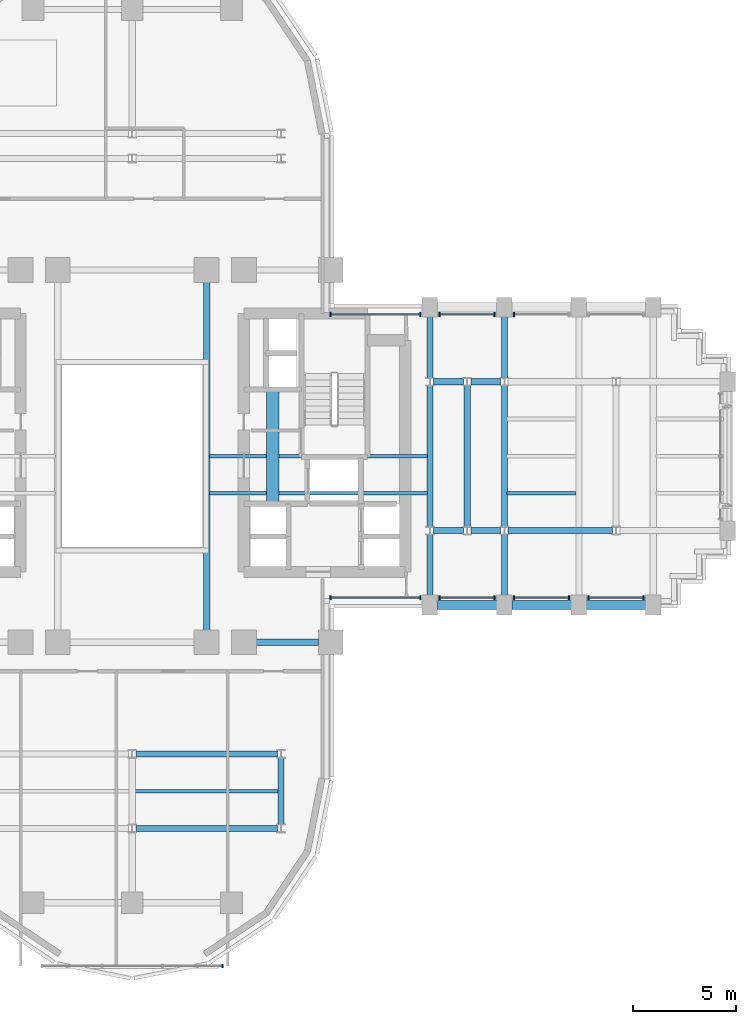
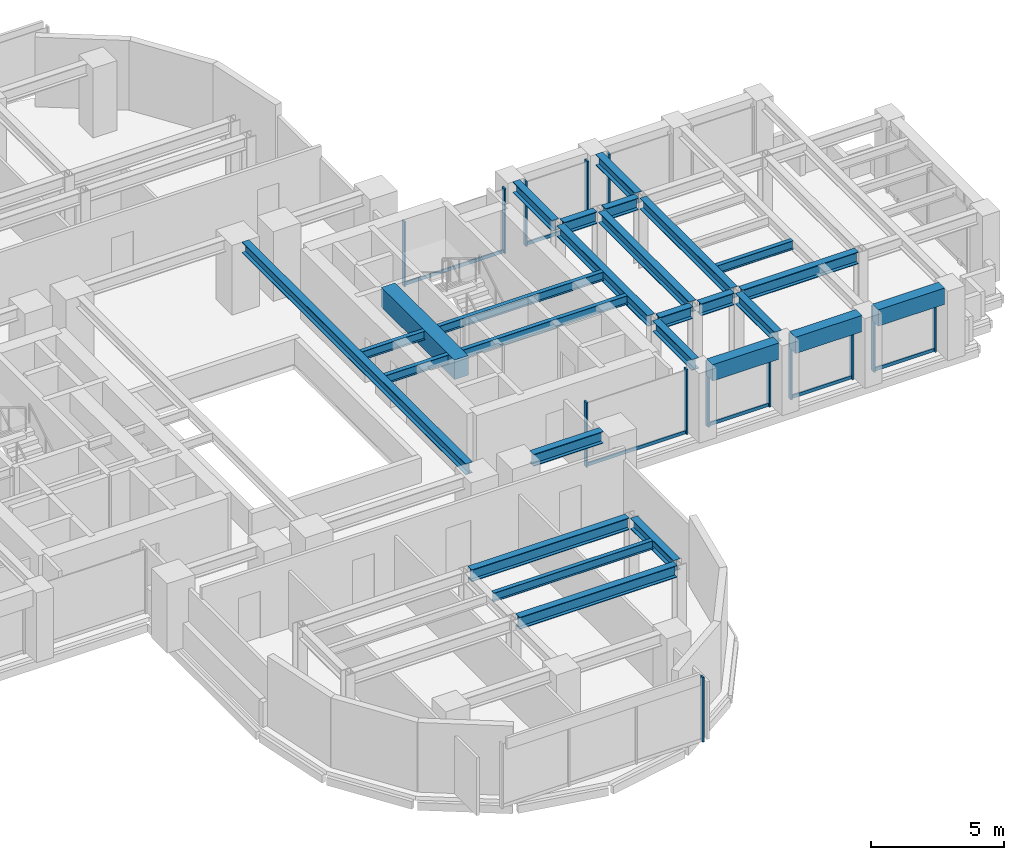
# One storey, part 5 of 16: 25 beams, 20 members, 8 elements without a shape of their own.
"""IFC4 building model written with IfcOpenShell, lengths in metres."""

from ifc_helpers import new_model, si_unit, direction, frame, origin, origin_2d, place, context, subcontext, project, spatial, rectangle, i_section, extrude, source, transform, mapped, material, material_profile, profile_set, type_object, element, aggregate, save


model = new_model("IFC4")

# Units and contexts
model_context = context("Model", 3, precision=1e-05, world=origin(), true_north=direction((0.0, 1.0)))
body_context = subcontext(model_context, "Body", "Model", "MODEL_VIEW")
ifc_project = project(units=[si_unit("LENGTHUNIT", "METRE"), si_unit("AREAUNIT", "SQUARE_METRE"), si_unit("VOLUMEUNIT", "CUBIC_METRE"), si_unit("PLANEANGLEUNIT", "RADIAN"), si_unit("MASSUNIT", "GRAM", prefix="KILO")], contexts=[model_context])

# Site, building, storey
site_placement = place(None, origin())
site = spatial("IfcSite", under=ifc_project, at=site_placement, CompositionType="ELEMENT")
building_placement = place(site_placement, origin())
building = spatial("IfcBuilding", under=site, at=building_placement, Name="Keilestroom Media Tower", CompositionType="ELEMENT")
storey_placement = place(building_placement, frame((0.0, 0.0, 71.39990234375)))
storey = spatial("IfcBuildingStorey", under=building, at=storey_placement, Name="L18", CompositionType="ELEMENT", Elevation=71.39990234375)

# Beams
ifc_material_1 = material(Name="Concrete C70/85", Category="concrete")
ifc_material_profile_1 = material_profile(ifc_material_1, rectangle(XDim=0.60009765625, YDim=0.89990234375, at=origin_2d()), Name="RC 600x900")
ifc_profile_set_1 = profile_set([ifc_material_profile_1], Name="Concrete C70/85")
beam_type_1 = type_object("IfcBeamType", Name="Core-Coupling-Lintel-Beam-RC-600x900", PredefinedType="LINTEL", material=ifc_profile_set_1)
shared_shape_1 = source(origin(), body_context, "Body", "SweptSolid", [
    extrude(rectangle(XDim=0.60009765625, YDim=0.89990234375, at=origin_2d()), origin(), (0.0, 0.0, 1.0), 5.52001953125),
])
beam_1_placement = place(storey_placement, frame((6.800048828125, -2.300048828125, 2.75), z_axis=(0.0, 1.0, 0.0), x_axis=(-1.0, 0.0, 0.0)))
element("IfcBeam", 1, at=beam_1_placement, inside=storey, type_object=beam_type_1, Name="L18 Beam CLB-1 CLB-L18-E", PredefinedType="LINTEL", context=body_context, shape_type="MappedRepresentation", body=[
    mapped(shared_shape_1, transform((0.0, 0.0, 0.0), x_axis=(1.0, 0.0, 0.0), y_axis=(0.0, 1.0, 0.0), z_axis=(0.0, 0.0, 1.0), scale=1.0)),
])
ifc_material_2 = material(Name="Steel S355", Category="steel")
ifc_material_profile_2 = material_profile(ifc_material_2, i_section(OverallWidth=0.300048828125, OverallDepth=0.550048828125, WebThickness=0.012939453125, FlangeThickness=0.029052734375, at=origin_2d()), Name="HEB 550")
ifc_profile_set_2 = profile_set([ifc_material_profile_2], Name="Steel S355")
beam_type_2 = type_object("IfcBeamType", Name="Primary-Structural-Girder-HEB-550", PredefinedType="BEAM", material=ifc_profile_set_2)
shared_shape_2 = source(origin(), body_context, "Body", "SweptSolid", [
    extrude(i_section(OverallWidth=0.300048828125, OverallDepth=0.550048828125, WebThickness=0.012939453125, FlangeThickness=0.029052734375, at=origin_2d()), origin(), (0.0, 0.0, 1.0), 6.836181640625),
])
for number, where, z_axis, x_axis, name in (
    (2, (0.181884765625, -18.0, 2.925048828125), (1.0, 0.0, 0.0), (0.0, 1.0, 0.0), "L18 Beam BG-5 BM-L18-EW-004"),
    (3, (0.181884765625, -14.39990234375, 2.925048828125), (1.0, 0.0, 0.0), (0.0, 1.0, 0.0), "L18 Beam BG-5 BM-L18-EW-006"),
):
    element("IfcBeam", number, at=place(storey_placement, frame(where, z_axis=z_axis, x_axis=x_axis)), inside=storey, type_object=beam_type_2, Name=name, PredefinedType="BEAM", context=body_context, shape_type="MappedRepresentation", body=[
        mapped(shared_shape_2, transform((0.0, 0.0, 0.0), x_axis=(1.0, 0.0, 0.0), y_axis=(0.0, 1.0, 0.0), z_axis=(0.0, 0.0, 1.0), scale=1.0)),
    ])
shared_shape_3 = source(origin(), body_context, "Body", "SweptSolid", [
    extrude(i_section(OverallWidth=0.300048828125, OverallDepth=0.550048828125, WebThickness=0.012939453125, FlangeThickness=0.029052734375, at=origin_2d()), origin(), (0.0, 0.0, 1.0), 3.0400390625),
])
beam_2_placement = place(storey_placement, frame((5.97998046875, -9.0, 2.925048828125), z_axis=(1.0, 0.0, 0.0), x_axis=(0.0, 1.0, 0.0)))
element("IfcBeam", 4, at=beam_2_placement, inside=storey, type_object=beam_type_2, Name="L18 Beam BG-5 BM-L18-EW-011", PredefinedType="BEAM", context=body_context, shape_type="MappedRepresentation", body=[
    mapped(shared_shape_3, transform((0.0, 0.0, 0.0), x_axis=(1.0, 0.0, 0.0), y_axis=(0.0, 1.0, 0.0), z_axis=(0.0, 0.0, 1.0), scale=1.0)),
])
ifc_material_3 = material(Name="Precast concrete C40/50", Category="concrete")
ifc_material_profile_3 = material_profile(ifc_material_3, rectangle(XDim=0.449951171875, YDim=0.75, at=origin_2d()), Name="PC 450x750")
ifc_profile_set_3 = profile_set([ifc_material_profile_3], Name="Precast concrete C40/50")
beam_type_3 = type_object("IfcBeamType", Name="Perimeter-Spandrel-Beam-PC-450x750", PredefinedType="SPANDREL", material=ifc_profile_set_3)
shared_shape_4 = source(origin(), body_context, "Body", "SweptSolid", [
    extrude(rectangle(XDim=0.449951171875, YDim=0.75, at=origin_2d()), origin(), (0.0, 0.0, 1.0), 2.889892578125),
])
beam_3_placement = place(storey_placement, frame((21.955078125, -7.199951171875, 2.8251953125), z_axis=(1.0, 0.0, 0.0), x_axis=(0.0, 1.0, 0.0)))
element("IfcBeam", 5, at=beam_3_placement, inside=storey, type_object=beam_type_3, Name="L18 Beam SPB-1 BM-L18-EW-017", PredefinedType="SPANDREL", context=body_context, shape_type="MappedRepresentation", body=[
    mapped(shared_shape_4, transform((0.0, 0.0, 0.0), x_axis=(1.0, 0.0, 0.0), y_axis=(0.0, 1.0, 0.0), z_axis=(0.0, 0.0, 1.0), scale=1.0)),
])
shared_shape_5 = source(origin(), body_context, "Body", "SweptSolid", [
    extrude(rectangle(XDim=0.449951171875, YDim=0.75, at=origin_2d()), origin(), (0.0, 0.0, 1.0), 2.89013671875),
])
for number, where, z_axis, x_axis, name in (
    (6, (14.7548828125, -7.199951171875, 2.8251953125), (1.0, 0.0, 0.0), (0.0, 1.0, 0.0), "L18 Beam SPB-1 BM-L18-EW-015"),
    (7, (18.35498046875, -7.199951171875, 2.8251953125), (1.0, 0.0, 0.0), (0.0, 1.0, 0.0), "L18 Beam SPB-1 BM-L18-EW-016"),
):
    element("IfcBeam", number, at=place(storey_placement, frame(where, z_axis=z_axis, x_axis=x_axis)), inside=storey, type_object=beam_type_3, Name=name, PredefinedType="SPANDREL", context=body_context, shape_type="MappedRepresentation", body=[
        mapped(shared_shape_5, transform((0.0, 0.0, 0.0), x_axis=(1.0, 0.0, 0.0), y_axis=(0.0, 1.0, 0.0), z_axis=(0.0, 0.0, 1.0), scale=1.0)),
    ])
shared_shape_6 = source(origin(), body_context, "Body", "SweptSolid", [
    extrude(i_section(OverallWidth=0.300048828125, OverallDepth=0.550048828125, WebThickness=0.012939453125, FlangeThickness=0.029052734375, at=origin_2d()), origin(), (0.0, 0.0, 1.0), 5.0361328125),
])
beam_4_placement = place(storey_placement, frame((18.181884765625, -3.60009765625, 2.925048828125), z_axis=(1.0, 0.0, 0.0), x_axis=(0.0, 1.0, 0.0)))
element("IfcBeam", 8, at=beam_4_placement, inside=storey, type_object=beam_type_2, Name="L18 Beam BG-5 BM-L18-EW-024", PredefinedType="BEAM", context=body_context, shape_type="MappedRepresentation", body=[
    mapped(shared_shape_6, transform((0.0, 0.0, 0.0), x_axis=(1.0, 0.0, 0.0), y_axis=(0.0, 1.0, 0.0), z_axis=(0.0, 0.0, 1.0), scale=1.0)),
])
shared_shape_7 = source(origin(), body_context, "Body", "SweptSolid", [
    extrude(i_section(OverallWidth=0.300048828125, OverallDepth=0.550048828125, WebThickness=0.012939453125, FlangeThickness=0.029052734375, at=origin_2d()), origin(), (0.0, 0.0, 1.0), 1.43603515625),
])
for number, where, z_axis, x_axis, name in (
    (9, (14.58203125, -3.60009765625, 2.925048828125), (1.0, 0.0, 0.0), (0.0, 1.0, 0.0), "L18 Beam BG-5 BM-L18-EW-022"),
    (10, (16.382080078125, -3.60009765625, 2.925048828125), (1.0, 0.0, 0.0), (0.0, 1.0, 0.0), "L18 Beam BG-5 BM-L18-EW-023"),
    (11, (14.58203125, 3.60009765625, 2.925048828125), (1.0, 0.0, 0.0), (0.0, 1.0, 0.0), "L18 Beam BG-5 BM-L18-EW-030"),
    (12, (16.382080078125, 3.60009765625, 2.925048828125), (1.0, 0.0, 0.0), (0.0, 1.0, 0.0), "L18 Beam BG-5 BM-L18-EW-031"),
):
    element("IfcBeam", number, at=place(storey_placement, frame(where, z_axis=z_axis, x_axis=x_axis)), inside=storey, type_object=beam_type_2, Name=name, PredefinedType="BEAM", context=body_context, shape_type="MappedRepresentation", body=[
        mapped(shared_shape_7, transform((0.0, 0.0, 0.0), x_axis=(1.0, 0.0, 0.0), y_axis=(0.0, 1.0, 0.0), z_axis=(0.0, 0.0, 1.0), scale=1.0)),
    ])
ifc_material_profile_4 = material_profile(ifc_material_2, i_section(OverallWidth=0.300048828125, OverallDepth=0.5, WebThickness=0.012451171875, FlangeThickness=0.028076171875, at=origin_2d()), Name="HEB 500")
ifc_profile_set_4 = profile_set([ifc_material_profile_4], Name="Steel S355")
beam_type_4 = type_object("IfcBeamType", Name="Primary-Structural-Girder-HEB-500", PredefinedType="BEAM", material=ifc_profile_set_4)
shared_shape_8 = source(origin(), body_context, "Body", "SweptSolid", [
    extrude(i_section(OverallWidth=0.300048828125, OverallDepth=0.5, WebThickness=0.012451171875, FlangeThickness=0.028076171875, at=origin_2d()), origin(), (0.0, 0.0, 1.0), 6.8330078125),
])
for number, where, z_axis, x_axis, name in (
    (13, (14.39990234375, -3.41650390625, 2.9501953125), (0.0, 1.0, 0.0), (-1.0, 0.0, 0.0), "L18 Beam BG-6 BM-L18-NS-077"),
    (14, (16.199951171875, -3.41650390625, 2.9501953125), (0.0, 1.0, 0.0), (-1.0, 0.0, 0.0), "L18 Beam BG-6 BM-L18-NS-079"),
    (15, (18.0, -3.41650390625, 2.9501953125), (0.0, 1.0, 0.0), (-1.0, 0.0, 0.0), "L18 Beam BG-6 BM-L18-NS-081"),
):
    element("IfcBeam", number, at=place(storey_placement, frame(where, z_axis=z_axis, x_axis=x_axis)), inside=storey, type_object=beam_type_4, Name=name, PredefinedType="BEAM", context=body_context, shape_type="MappedRepresentation", body=[
        mapped(shared_shape_8, transform((0.0, 0.0, 0.0), x_axis=(1.0, 0.0, 0.0), y_axis=(0.0, 1.0, 0.0), z_axis=(0.0, 0.0, 1.0), scale=1.0)),
    ])
shared_shape_9 = source(origin(), body_context, "Body", "SweptSolid", [
    extrude(i_section(OverallWidth=0.300048828125, OverallDepth=0.5, WebThickness=0.012451171875, FlangeThickness=0.028076171875, at=origin_2d()), origin(), (0.0, 0.0, 1.0), 2.961669921875),
])
for number, where, z_axis, x_axis, name in (
    (16, (14.39990234375, -6.7451171875, 2.9501953125), (0.0, 1.0, 0.0), (-1.0, 0.0, 0.0), "L18 Beam BG-6 BM-L18-NS-076"),
    (17, (14.39990234375, 3.783447265625, 2.9501953125), (0.0, 1.0, 0.0), (-1.0, 0.0, 0.0), "L18 Beam BG-6 BM-L18-NS-078"),
    (18, (18.0, -6.7451171875, 2.9501953125), (0.0, 1.0, 0.0), (-1.0, 0.0, 0.0), "L18 Beam BG-6 BM-L18-NS-080"),
    (19, (18.0, 3.783447265625, 2.9501953125), (0.0, 1.0, 0.0), (-1.0, 0.0, 0.0), "L18 Beam BG-6 BM-L18-NS-082"),
):
    element("IfcBeam", number, at=place(storey_placement, frame(where, z_axis=z_axis, x_axis=x_axis)), inside=storey, type_object=beam_type_4, Name=name, PredefinedType="BEAM", context=body_context, shape_type="MappedRepresentation", body=[
        mapped(shared_shape_9, transform((0.0, 0.0, 0.0), x_axis=(1.0, 0.0, 0.0), y_axis=(0.0, 1.0, 0.0), z_axis=(0.0, 0.0, 1.0), scale=1.0)),
    ])
shared_shape_10 = source(origin(), body_context, "Body", "SweptSolid", [
    extrude(i_section(OverallWidth=0.300048828125, OverallDepth=0.5, WebThickness=0.012451171875, FlangeThickness=0.028076171875, at=origin_2d()), origin(), (0.0, 0.0, 1.0), 3.23291015625),
])
beam_5_placement = place(storey_placement, frame((7.199951171875, -17.81640625, 2.9501953125), z_axis=(0.0, 1.0, 0.0), x_axis=(-1.0, 0.0, 0.0)))
element("IfcBeam", 20, at=beam_5_placement, inside=storey, type_object=beam_type_4, Name="L18 Beam BG-6 BM-L18-NS-073", PredefinedType="BEAM", context=body_context, shape_type="MappedRepresentation", body=[
    mapped(shared_shape_10, transform((0.0, 0.0, 0.0), x_axis=(1.0, 0.0, 0.0), y_axis=(0.0, 1.0, 0.0), z_axis=(0.0, 0.0, 1.0), scale=1.0)),
])
shared_shape_11 = source(origin(), body_context, "Body", "SweptSolid", [
    extrude(i_section(OverallWidth=0.300048828125, OverallDepth=0.5, WebThickness=0.012451171875, FlangeThickness=0.028076171875, at=origin_2d()), origin(), (0.0, 0.0, 1.0), 16.83984375),
])
beam_6_placement = place(storey_placement, frame((3.60009765625, -8.419921875, 2.9501953125), z_axis=(0.0, 1.0, 0.0), x_axis=(-1.0, 0.0, 0.0)))
element("IfcBeam", 21, at=beam_6_placement, inside=storey, type_object=beam_type_4, Name="L18 Beam BG-6 BM-L18-NS-071", PredefinedType="BEAM", context=body_context, shape_type="MappedRepresentation", body=[
    mapped(shared_shape_11, transform((0.0, 0.0, 0.0), x_axis=(1.0, 0.0, 0.0), y_axis=(0.0, 1.0, 0.0), z_axis=(0.0, 0.0, 1.0), scale=1.0)),
])
ifc_material_profile_5 = material_profile(ifc_material_2, i_section(OverallWidth=0.179931640625, OverallDepth=0.39990234375, WebThickness=0.008544921875, FlangeThickness=0.013427734375, at=origin_2d()), Name="IPE 400")
ifc_profile_set_5 = profile_set([ifc_material_profile_5], Name="Steel S355")
beam_type_5 = type_object("IfcBeamType", Name="Secondary-Floor-Joist-IPE-400", PredefinedType="JOIST", material=ifc_profile_set_5)
shared_shape_12 = source(origin(), body_context, "Body", "SweptSolid", [
    extrude(i_section(OverallWidth=0.179931640625, OverallDepth=0.39990234375, WebThickness=0.008544921875, FlangeThickness=0.013427734375, at=origin_2d()), origin(), (0.0, 0.0, 1.0), 6.940185546875),
])
beam_7_placement = place(storey_placement, frame((0.1298828125, -16.199951171875, 3.0), z_axis=(1.0, 0.0, 0.0), x_axis=(0.0, 1.0, 0.0)))
element("IfcBeam", 22, at=beam_7_placement, inside=storey, type_object=beam_type_5, Name="L18 Beam BJ-4 JST-L18-088", PredefinedType="JOIST", context=body_context, shape_type="MappedRepresentation", body=[
    mapped(shared_shape_12, transform((0.0, 0.0, 0.0), x_axis=(1.0, 0.0, 0.0), y_axis=(0.0, 1.0, 0.0), z_axis=(0.0, 0.0, 1.0), scale=1.0)),
])
shared_shape_13 = source(origin(), body_context, "Body", "SweptSolid", [
    extrude(i_section(OverallWidth=0.179931640625, OverallDepth=0.39990234375, WebThickness=0.008544921875, FlangeThickness=0.013427734375, at=origin_2d()), origin(), (0.0, 0.0, 1.0), 3.340087890625),
])
beam_8_placement = place(storey_placement, frame((18.1298828125, -1.800048828125, 3.0), z_axis=(1.0, 0.0, 0.0), x_axis=(0.0, 1.0, 0.0)))
element("IfcBeam", 23, at=beam_8_placement, inside=storey, type_object=beam_type_5, Name="L18 Beam BJ-4 JST-L18-094", PredefinedType="JOIST", context=body_context, shape_type="MappedRepresentation", body=[
    mapped(shared_shape_13, transform((0.0, 0.0, 0.0), x_axis=(1.0, 0.0, 0.0), y_axis=(0.0, 1.0, 0.0), z_axis=(0.0, 0.0, 1.0), scale=1.0)),
])
shared_shape_14 = source(origin(), body_context, "Body", "SweptSolid", [
    extrude(i_section(OverallWidth=0.179931640625, OverallDepth=0.39990234375, WebThickness=0.008544921875, FlangeThickness=0.013427734375, at=origin_2d()), origin(), (0.0, 0.0, 1.0), 10.5400390625),
])
for number, where, z_axis, x_axis, name in (
    (24, (3.72998046875, -1.800048828125, 3.0), (1.0, 0.0, 0.0), (0.0, 1.0, 0.0), "L18 Beam BJ-4 JST-L18-093"),
    (25, (3.72998046875, 0.0, 3.0), (1.0, 0.0, 0.0), (0.0, 1.0, 0.0), "L18 Beam BJ-4 JST-L18-100"),
):
    element("IfcBeam", number, at=place(storey_placement, frame(where, z_axis=z_axis, x_axis=x_axis)), inside=storey, type_object=beam_type_5, Name=name, PredefinedType="JOIST", context=body_context, shape_type="MappedRepresentation", body=[
        mapped(shared_shape_14, transform((0.0, 0.0, 0.0), x_axis=(1.0, 0.0, 0.0), y_axis=(0.0, 1.0, 0.0), z_axis=(0.0, 0.0, 1.0), scale=1.0)),
    ])

# Curtain wall, members
ifc_material_4 = material(Name="Anodised Aluminium Alloy", Category="aluminium")
curtain_wall_type_1 = type_object("IfcCurtainWallType", Name="Unitised-Curtain-Wall-CW-1", PredefinedType="NOTDEFINED", material=ifc_material_4)
curtain_wall_1_placement = place(storey_placement, origin())
curtain_wall_1 = element("IfcCurtainWall", 26, at=curtain_wall_1_placement, inside=storey, type_object=curtain_wall_type_1, Name="L18 Curtain Wall CW-1 CW-L18-NE-1", PredefinedType="NOTDEFINED")
ifc_material_profile_6 = material_profile(ifc_material_4, rectangle(XDim=0.070068359375, YDim=0.199951171875, at=origin_2d()), Name="ALU MULLION 70x200")
ifc_profile_set_6 = profile_set([ifc_material_profile_6], Name="Anodised Aluminium Alloy")
member_type_1 = type_object("IfcMemberType", Name="Curtain-Wall-Mullion-CW-1", PredefinedType="MULLION", material=ifc_profile_set_6)
shared_shape_15 = source(origin(), body_context, "Body", "SweptSolid", [
    extrude(rectangle(XDim=0.070068359375, YDim=0.199951171875, at=origin_2d()), origin(), (0.0, 0.0, 1.0), 2.97998046875),
])
member_1_placement = place(storey_placement, frame((9.5849609375, 6.85009765625, 0.0), z_axis=(0.0, 0.0, 1.0), x_axis=(1.0, 0.0, 0.0)))
member_1 = element("IfcMember", 27, at=member_1_placement, type_object=member_type_1, Name="CW-1 Mullion 00", PredefinedType="MULLION", context=body_context, shape_type="MappedRepresentation", body=[
    mapped(shared_shape_15, transform((0.0, 0.0, 0.0), x_axis=(1.0, 0.0, 0.0), y_axis=(0.0, 1.0, 0.0), z_axis=(0.0, 0.0, 1.0), scale=1.0)),
])
member_2_placement = place(storey_placement, frame((13.929931640625, 6.85009765625, 0.0), z_axis=(0.0, 0.0, 1.0), x_axis=(1.0, 0.0, 0.0)))
member_2 = element("IfcMember", 28, at=member_2_placement, type_object=member_type_1, Name="CW-1 Mullion 01", PredefinedType="MULLION", context=body_context, shape_type="MappedRepresentation", body=[
    mapped(shared_shape_15, transform((0.0, 0.0, 0.0), x_axis=(1.0, 0.0, 0.0), y_axis=(0.0, 1.0, 0.0), z_axis=(0.0, 0.0, 1.0), scale=1.0)),
])

curtain_wall_2_placement = place(storey_placement, origin())
curtain_wall_2 = element("IfcCurtainWall", 29, at=curtain_wall_2_placement, inside=storey, type_object=curtain_wall_type_1, Name="L18 Curtain Wall CW-1 CW-L18-NE-2", PredefinedType="NOTDEFINED")
member_3_placement = place(storey_placement, frame((14.8701171875, 6.85009765625, 0.0), z_axis=(0.0, 0.0, 1.0), x_axis=(1.0, 0.0, 0.0)))
member_3 = element("IfcMember", 30, at=member_3_placement, type_object=member_type_1, Name="CW-1 Mullion 00", PredefinedType="MULLION", context=body_context, shape_type="MappedRepresentation", body=[
    mapped(shared_shape_15, transform((0.0, 0.0, 0.0), x_axis=(1.0, 0.0, 0.0), y_axis=(0.0, 1.0, 0.0), z_axis=(0.0, 0.0, 1.0), scale=1.0)),
])
member_4_placement = place(storey_placement, frame((17.530029296875, 6.85009765625, 0.0), z_axis=(0.0, 0.0, 1.0), x_axis=(1.0, 0.0, 0.0)))
member_4 = element("IfcMember", 31, at=member_4_placement, type_object=member_type_1, Name="CW-1 Mullion 01", PredefinedType="MULLION", context=body_context, shape_type="MappedRepresentation", body=[
    mapped(shared_shape_15, transform((0.0, 0.0, 0.0), x_axis=(1.0, 0.0, 0.0), y_axis=(0.0, 1.0, 0.0), z_axis=(0.0, 0.0, 1.0), scale=1.0)),
])

# Curtain wall, member
curtain_wall_3_placement = place(storey_placement, origin())
curtain_wall_3 = element("IfcCurtainWall", 32, at=curtain_wall_3_placement, inside=storey, type_object=curtain_wall_type_1, Name="L18 Curtain Wall CW-1 CW-L18-NE-3", PredefinedType="NOTDEFINED")
member_5_placement = place(storey_placement, frame((18.469970703125, 6.85009765625, 0.0), z_axis=(0.0, 0.0, 1.0), x_axis=(1.0, 0.0, 0.0)))
member_5 = element("IfcMember", 33, at=member_5_placement, type_object=member_type_1, Name="CW-1 Mullion 00", PredefinedType="MULLION", context=body_context, shape_type="MappedRepresentation", body=[
    mapped(shared_shape_15, transform((0.0, 0.0, 0.0), x_axis=(1.0, 0.0, 0.0), y_axis=(0.0, 1.0, 0.0), z_axis=(0.0, 0.0, 1.0), scale=1.0)),
])
aggregate(curtain_wall_3, [member_5])

# Curtain wall, members
curtain_wall_4_placement = place(storey_placement, origin())
curtain_wall_4 = element("IfcCurtainWall", 34, at=curtain_wall_4_placement, inside=storey, type_object=curtain_wall_type_1, Name="L18 Curtain Wall CW-1 CW-L18-SE-1", PredefinedType="NOTDEFINED")
member_6_placement = place(storey_placement, frame((9.5849609375, -6.85009765625, 0.0), z_axis=(0.0, 0.0, 1.0), x_axis=(1.0, 0.0, 0.0)))
member_6 = element("IfcMember", 35, at=member_6_placement, type_object=member_type_1, Name="CW-1 Mullion 00", PredefinedType="MULLION", context=body_context, shape_type="MappedRepresentation", body=[
    mapped(shared_shape_15, transform((0.0, 0.0, 0.0), x_axis=(1.0, 0.0, 0.0), y_axis=(0.0, 1.0, 0.0), z_axis=(0.0, 0.0, 1.0), scale=1.0)),
])
member_7_placement = place(storey_placement, frame((13.929931640625, -6.85009765625, 0.0), z_axis=(0.0, 0.0, 1.0), x_axis=(1.0, 0.0, 0.0)))
member_7 = element("IfcMember", 36, at=member_7_placement, type_object=member_type_1, Name="CW-1 Mullion 01", PredefinedType="MULLION", context=body_context, shape_type="MappedRepresentation", body=[
    mapped(shared_shape_15, transform((0.0, 0.0, 0.0), x_axis=(1.0, 0.0, 0.0), y_axis=(0.0, 1.0, 0.0), z_axis=(0.0, 0.0, 1.0), scale=1.0)),
])

curtain_wall_5_placement = place(storey_placement, origin())
curtain_wall_5 = element("IfcCurtainWall", 37, at=curtain_wall_5_placement, inside=storey, type_object=curtain_wall_type_1, Name="L18 Curtain Wall CW-1 CW-L18-SE-2", PredefinedType="NOTDEFINED")
member_8_placement = place(storey_placement, frame((14.8701171875, -6.85009765625, 0.0), z_axis=(0.0, 0.0, 1.0), x_axis=(1.0, 0.0, 0.0)))
member_8 = element("IfcMember", 38, at=member_8_placement, type_object=member_type_1, Name="CW-1 Mullion 00", PredefinedType="MULLION", context=body_context, shape_type="MappedRepresentation", body=[
    mapped(shared_shape_15, transform((0.0, 0.0, 0.0), x_axis=(1.0, 0.0, 0.0), y_axis=(0.0, 1.0, 0.0), z_axis=(0.0, 0.0, 1.0), scale=1.0)),
])
member_9_placement = place(storey_placement, frame((17.530029296875, -6.85009765625, 0.0), z_axis=(0.0, 0.0, 1.0), x_axis=(1.0, 0.0, 0.0)))
member_9 = element("IfcMember", 39, at=member_9_placement, type_object=member_type_1, Name="CW-1 Mullion 01", PredefinedType="MULLION", context=body_context, shape_type="MappedRepresentation", body=[
    mapped(shared_shape_15, transform((0.0, 0.0, 0.0), x_axis=(1.0, 0.0, 0.0), y_axis=(0.0, 1.0, 0.0), z_axis=(0.0, 0.0, 1.0), scale=1.0)),
])

curtain_wall_6_placement = place(storey_placement, origin())
curtain_wall_6 = element("IfcCurtainWall", 40, at=curtain_wall_6_placement, inside=storey, type_object=curtain_wall_type_1, Name="L18 Curtain Wall CW-1 CW-L18-SE-3", PredefinedType="NOTDEFINED")
member_10_placement = place(storey_placement, frame((18.469970703125, -6.85009765625, 0.0), z_axis=(0.0, 0.0, 1.0), x_axis=(1.0, 0.0, 0.0)))
member_10 = element("IfcMember", 41, at=member_10_placement, type_object=member_type_1, Name="CW-1 Mullion 00", PredefinedType="MULLION", context=body_context, shape_type="MappedRepresentation", body=[
    mapped(shared_shape_15, transform((0.0, 0.0, 0.0), x_axis=(1.0, 0.0, 0.0), y_axis=(0.0, 1.0, 0.0), z_axis=(0.0, 0.0, 1.0), scale=1.0)),
])
member_11_placement = place(storey_placement, frame((21.1298828125, -6.85009765625, 0.0), z_axis=(0.0, 0.0, 1.0), x_axis=(1.0, 0.0, 0.0)))
member_11 = element("IfcMember", 42, at=member_11_placement, type_object=member_type_1, Name="CW-1 Mullion 01", PredefinedType="MULLION", context=body_context, shape_type="MappedRepresentation", body=[
    mapped(shared_shape_15, transform((0.0, 0.0, 0.0), x_axis=(1.0, 0.0, 0.0), y_axis=(0.0, 1.0, 0.0), z_axis=(0.0, 0.0, 1.0), scale=1.0)),
])

curtain_wall_7_placement = place(storey_placement, origin())
curtain_wall_7 = element("IfcCurtainWall", 43, at=curtain_wall_7_placement, inside=storey, type_object=curtain_wall_type_1, Name="L18 Curtain Wall CW-1 CW-L18-SE-4", PredefinedType="NOTDEFINED")
member_12_placement = place(storey_placement, frame((22.070068359375, -6.85009765625, 0.0), z_axis=(0.0, 0.0, 1.0), x_axis=(1.0, 0.0, 0.0)))
member_12 = element("IfcMember", 44, at=member_12_placement, type_object=member_type_1, Name="CW-1 Mullion 00", PredefinedType="MULLION", context=body_context, shape_type="MappedRepresentation", body=[
    mapped(shared_shape_15, transform((0.0, 0.0, 0.0), x_axis=(1.0, 0.0, 0.0), y_axis=(0.0, 1.0, 0.0), z_axis=(0.0, 0.0, 1.0), scale=1.0)),
])
member_13_placement = place(storey_placement, frame((24.72998046875, -6.85009765625, 0.0), z_axis=(0.0, 0.0, 1.0), x_axis=(1.0, 0.0, 0.0)))
member_13 = element("IfcMember", 45, at=member_13_placement, type_object=member_type_1, Name="CW-1 Mullion 01", PredefinedType="MULLION", context=body_context, shape_type="MappedRepresentation", body=[
    mapped(shared_shape_15, transform((0.0, 0.0, 0.0), x_axis=(1.0, 0.0, 0.0), y_axis=(0.0, 1.0, 0.0), z_axis=(0.0, 0.0, 1.0), scale=1.0)),
])

# Member
ifc_material_profile_7 = material_profile(ifc_material_4, rectangle(XDim=0.06494140625, YDim=0.14990234375, at=origin_2d()), Name="ALU TRANSOM 65x150")
ifc_profile_set_7 = profile_set([ifc_material_profile_7], Name="Anodised Aluminium Alloy")
member_type_2 = type_object("IfcMemberType", Name="Curtain-Wall-Transom-CW-1", PredefinedType="USERDEFINED", material=ifc_profile_set_7)
shared_shape_16 = source(origin(), body_context, "Body", "SweptSolid", [
    extrude(rectangle(XDim=0.06494140625, YDim=0.14990234375, at=origin_2d()), origin(), (0.0, 0.0, 1.0), 2.593994140625),
])
member_14_placement = place(storey_placement, frame((14.903076171875, 6.85009765625, 0.0751953125), z_axis=(1.0, 0.0, 0.0), x_axis=(0.0, 1.0, 0.0)))
member_14 = element("IfcMember", 46, at=member_14_placement, type_object=member_type_2, Name="CW-1 Transom 00.1", ObjectType="TRANSOM", PredefinedType="USERDEFINED", context=body_context, shape_type="MappedRepresentation", body=[
    mapped(shared_shape_16, transform((0.0, 0.0, 0.0), x_axis=(1.0, 0.0, 0.0), y_axis=(0.0, 1.0, 0.0), z_axis=(0.0, 0.0, 1.0), scale=1.0)),
])

aggregate(curtain_wall_2, [member_3, member_4, member_14])

member_15_placement = place(storey_placement, frame((14.903076171875, -6.85009765625, 0.0751953125), z_axis=(1.0, 0.0, 0.0), x_axis=(0.0, 1.0, 0.0)))
member_15 = element("IfcMember", 47, at=member_15_placement, type_object=member_type_2, Name="CW-1 Transom 00.1", ObjectType="TRANSOM", PredefinedType="USERDEFINED", context=body_context, shape_type="MappedRepresentation", body=[
    mapped(shared_shape_16, transform((0.0, 0.0, 0.0), x_axis=(1.0, 0.0, 0.0), y_axis=(0.0, 1.0, 0.0), z_axis=(0.0, 0.0, 1.0), scale=1.0)),
])

aggregate(curtain_wall_5, [member_8, member_9, member_15])

member_16_placement = place(storey_placement, frame((18.5029296875, -6.85009765625, 0.0751953125), z_axis=(1.0, 0.0, 0.0), x_axis=(0.0, 1.0, 0.0)))
member_16 = element("IfcMember", 48, at=member_16_placement, type_object=member_type_2, Name="CW-1 Transom 00.1", ObjectType="TRANSOM", PredefinedType="USERDEFINED", context=body_context, shape_type="MappedRepresentation", body=[
    mapped(shared_shape_16, transform((0.0, 0.0, 0.0), x_axis=(1.0, 0.0, 0.0), y_axis=(0.0, 1.0, 0.0), z_axis=(0.0, 0.0, 1.0), scale=1.0)),
])

aggregate(curtain_wall_6, [member_10, member_11, member_16])

member_17_placement = place(storey_placement, frame((22.10302734375, -6.85009765625, 0.0751953125), z_axis=(1.0, 0.0, 0.0), x_axis=(0.0, 1.0, 0.0)))
member_17 = element("IfcMember", 49, at=member_17_placement, type_object=member_type_2, Name="CW-1 Transom 00.1", ObjectType="TRANSOM", PredefinedType="USERDEFINED", context=body_context, shape_type="MappedRepresentation", body=[
    mapped(shared_shape_16, transform((0.0, 0.0, 0.0), x_axis=(1.0, 0.0, 0.0), y_axis=(0.0, 1.0, 0.0), z_axis=(0.0, 0.0, 1.0), scale=1.0)),
])

aggregate(curtain_wall_7, [member_12, member_13, member_17])

shared_shape_17 = source(origin(), body_context, "Body", "SweptSolid", [
    extrude(rectangle(XDim=0.06494140625, YDim=0.14990234375, at=origin_2d()), origin(), (0.0, 0.0, 1.0), 4.279052734375),
])
member_18_placement = place(storey_placement, frame((9.617919921875, 6.85009765625, 0.0751953125), z_axis=(1.0, 0.0, 0.0), x_axis=(0.0, 1.0, 0.0)))
member_18 = element("IfcMember", 50, at=member_18_placement, type_object=member_type_2, Name="CW-1 Transom 00.1", ObjectType="TRANSOM", PredefinedType="USERDEFINED", context=body_context, shape_type="MappedRepresentation", body=[
    mapped(shared_shape_17, transform((0.0, 0.0, 0.0), x_axis=(1.0, 0.0, 0.0), y_axis=(0.0, 1.0, 0.0), z_axis=(0.0, 0.0, 1.0), scale=1.0)),
])

aggregate(curtain_wall_1, [member_1, member_2, member_18])

member_19_placement = place(storey_placement, frame((9.617919921875, -6.85009765625, 0.0751953125), z_axis=(1.0, 0.0, 0.0), x_axis=(0.0, 1.0, 0.0)))
member_19 = element("IfcMember", 51, at=member_19_placement, type_object=member_type_2, Name="CW-1 Transom 00.1", ObjectType="TRANSOM", PredefinedType="USERDEFINED", context=body_context, shape_type="MappedRepresentation", body=[
    mapped(shared_shape_17, transform((0.0, 0.0, 0.0), x_axis=(1.0, 0.0, 0.0), y_axis=(0.0, 1.0, 0.0), z_axis=(0.0, 0.0, 1.0), scale=1.0)),
])

aggregate(curtain_wall_4, [member_6, member_7, member_19])

# Curtain wall, member
curtain_wall_type_2 = type_object("IfcCurtainWallType", Name="Unitised-Curtain-Wall-CW-6", PredefinedType="NOTDEFINED", material=ifc_material_4)
curtain_wall_8_placement = place(storey_placement, origin())
curtain_wall_8 = element("IfcCurtainWall", 52, at=curtain_wall_8_placement, inside=storey, type_object=curtain_wall_type_2, Name="L18 Curtain Wall CW-6 CW-L18-LS-1", PredefinedType="NOTDEFINED")
ifc_material_profile_8 = material_profile(ifc_material_4, rectangle(XDim=0.06494140625, YDim=0.179931640625, at=origin_2d()), Name="ALU MULLION 65x180")
ifc_profile_set_8 = profile_set([ifc_material_profile_8], Name="Anodised Aluminium Alloy")
member_type_3 = type_object("IfcMemberType", Name="Curtain-Wall-Mullion-CW-6", PredefinedType="MULLION", material=ifc_profile_set_8)
shared_shape_18 = source(origin(), body_context, "Body", "SweptSolid", [
    extrude(rectangle(XDim=0.06494140625, YDim=0.179931640625, at=origin_2d()), origin(), (0.0, 0.0, 1.0), 2.97998046875),
])
member_20_placement = place(storey_placement, frame((4.367431640625, -24.64990234375, 0.0), z_axis=(0.0, 0.0, 1.0), x_axis=(1.0, 0.0, 0.0)))
member_20 = element("IfcMember", 53, at=member_20_placement, type_object=member_type_3, Name="CW-6 Mullion 03", PredefinedType="MULLION", context=body_context, shape_type="MappedRepresentation", body=[
    mapped(shared_shape_18, transform((0.0, 0.0, 0.0), x_axis=(1.0, 0.0, 0.0), y_axis=(0.0, 1.0, 0.0), z_axis=(0.0, 0.0, 1.0), scale=1.0)),
])
aggregate(curtain_wall_8, [member_20])

save(model, "model.ifc")
